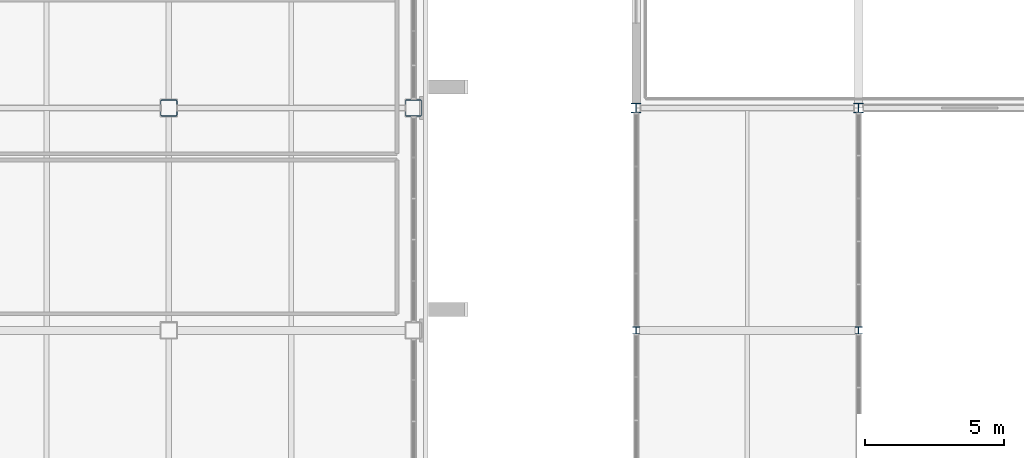
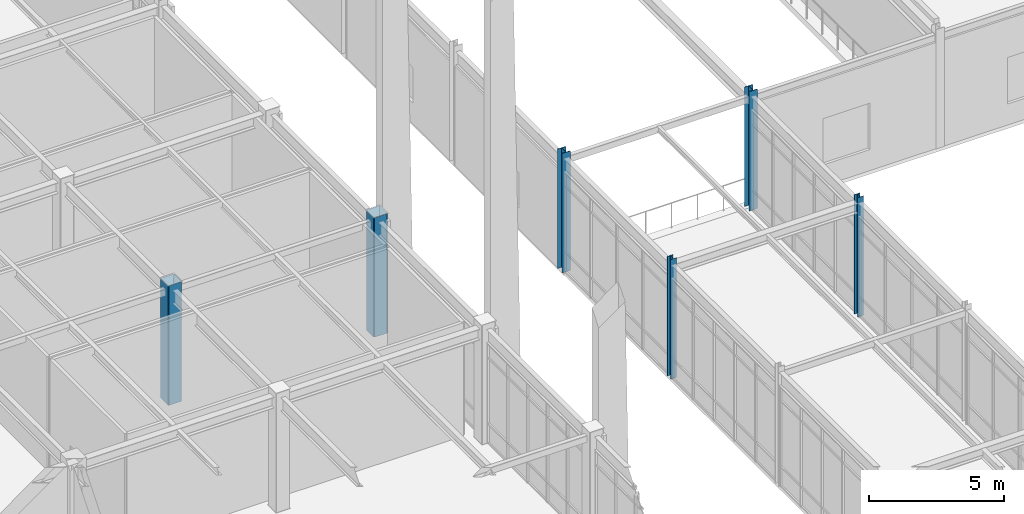
# One storey, part 7 of 184: 6 columns.
"""IFC4 building model written with IfcOpenShell, lengths in metres."""

from ifc_helpers import new_model, si_unit, direction, frame, origin, origin_2d, place, context, subcontext, project, spatial, hollow_rectangle, i_section, extrude, material, material_profile, profile_set, type_object, element, save


model = new_model("IFC4")

# Units and contexts
model_context = context("Model", 3, precision=1e-05, world=origin(), true_north=direction((0.0, 1.0)))
body_context = subcontext(model_context, "Body", "Model", "MODEL_VIEW")
ifc_project = project(units=[si_unit("LENGTHUNIT", "METRE"), si_unit("AREAUNIT", "SQUARE_METRE"), si_unit("VOLUMEUNIT", "CUBIC_METRE"), si_unit("PLANEANGLEUNIT", "RADIAN"), si_unit("MASSUNIT", "GRAM", prefix="KILO")], contexts=[model_context])

# Site, building, storey
site_placement = place(None, origin())
site = spatial("IfcSite", under=ifc_project, at=site_placement, CompositionType="ELEMENT")
building_placement = place(site_placement, origin())
building = spatial("IfcBuilding", under=site, at=building_placement, Name="Zhaolan Boulevard Law Courts", CompositionType="ELEMENT")
storey_placement = place(building_placement, frame((0.0, 0.0, 5.39990234375)))
storey = spatial("IfcBuildingStorey", under=building, at=storey_placement, Name="L01", CompositionType="ELEMENT", Elevation=5.39990234375)

# Columns
ifc_material_1 = material(Name="Structural steel Q390B", Category="steel")
ifc_material_profile_1 = material_profile(ifc_material_1, hollow_rectangle(XDim=0.60009765625, YDim=0.60009765625, WallThickness=0.02392578125, InnerFilletRadius=0.02392578125, OuterFilletRadius=0.048095703125, at=origin_2d()), Name="BOX600x600x24")
ifc_profile_set_1 = profile_set([ifc_material_profile_1], Name="Structural steel Q390B")
column_type_1 = type_object("IfcColumnType", Name="COL BOX600", PredefinedType="COLUMN", material=ifc_profile_set_1)
for number, where, z_axis, x_axis, name in (
    (1, (35.199951171875, 62.0, 0.0), (0.0, 0.0, 1.0), (1.0, 0.0, 0.0), "Column C-5J (L01)"),
    (2, (44.0, 62.0, 0.0), (0.0, 0.0, 1.0), (1.0, 0.0, 0.0), "Column C-6J (L01)"),
):
    element("IfcColumn", number, at=place(storey_placement, frame(where, z_axis=z_axis, x_axis=x_axis)), inside=storey, type_object=column_type_1, Name=name, PredefinedType="COLUMN", context=body_context, shape_type="SweptSolid", body=[
        extrude(hollow_rectangle(XDim=0.60009765625, YDim=0.60009765625, WallThickness=0.02392578125, InnerFilletRadius=0.02392578125, OuterFilletRadius=0.048095703125, at=origin_2d()), origin(), (0.0, 0.0, 1.0), 5.400146484375),
    ])
ifc_material_2 = material(Name="Structural steel Q355B", Category="steel")
ifc_material_profile_2 = material_profile(ifc_material_2, i_section(OverallWidth=0.25, OverallDepth=0.25, WebThickness=0.009033203125, FlangeThickness=0.013916015625, FilletRadius=0.01611328125, at=origin_2d()), Name="HW250x250")
ifc_profile_set_2 = profile_set([ifc_material_profile_2], Name="Structural steel Q355B")
column_type_2 = type_object("IfcColumnType", Name="COL HW250", PredefinedType="COLUMN", material=ifc_profile_set_2)
for number, where, z_axis, x_axis, name in (
    (3, (52.0, 54.0, 0.0), (0.0, 0.0, 1.0), (1.0, 0.0, 0.0), "Column C-7H (L01)"),
    (4, (60.0, 54.0, 0.0), (0.0, 0.0, 1.0), (1.0, 0.0, 0.0), "Column C-8H (L01)"),
):
    element("IfcColumn", number, at=place(storey_placement, frame(where, z_axis=z_axis, x_axis=x_axis)), inside=storey, type_object=column_type_2, Name=name, PredefinedType="COLUMN", context=body_context, shape_type="SweptSolid", body=[
        extrude(i_section(OverallWidth=0.25, OverallDepth=0.25, WebThickness=0.009033203125, FlangeThickness=0.013916015625, FilletRadius=0.01611328125, at=origin_2d()), origin(), (0.0, 0.0, 1.0), 5.400146484375),
    ])
ifc_material_3 = material(Name="Structural steel Q355B", Category="steel")
ifc_material_profile_3 = material_profile(ifc_material_3, i_section(OverallWidth=0.35009765625, OverallDepth=0.35009765625, WebThickness=0.011962890625, FlangeThickness=0.01904296875, FilletRadius=0.02001953125, at=origin_2d()), Name="HW350x350")
ifc_profile_set_3 = profile_set([ifc_material_profile_3], Name="Structural steel Q355B")
column_type_3 = type_object("IfcColumnType", Name="COL HW350", PredefinedType="COLUMN", material=ifc_profile_set_3)
for number, where, z_axis, x_axis, name in (
    (5, (52.0, 62.0, 0.0), (0.0, 0.0, 1.0), (1.0, 0.0, 0.0), "Column C-7J (L01)"),
    (6, (60.0, 62.0, 0.0), (0.0, 0.0, 1.0), (1.0, 0.0, 0.0), "Column C-8J (L01)"),
):
    element("IfcColumn", number, at=place(storey_placement, frame(where, z_axis=z_axis, x_axis=x_axis)), inside=storey, type_object=column_type_3, Name=name, PredefinedType="COLUMN", context=body_context, shape_type="SweptSolid", body=[
        extrude(i_section(OverallWidth=0.35009765625, OverallDepth=0.35009765625, WebThickness=0.011962890625, FlangeThickness=0.01904296875, FilletRadius=0.02001953125, at=origin_2d()), origin(), (0.0, 0.0, 1.0), 5.400146484375),
    ])

save(model, "model.ifc")
